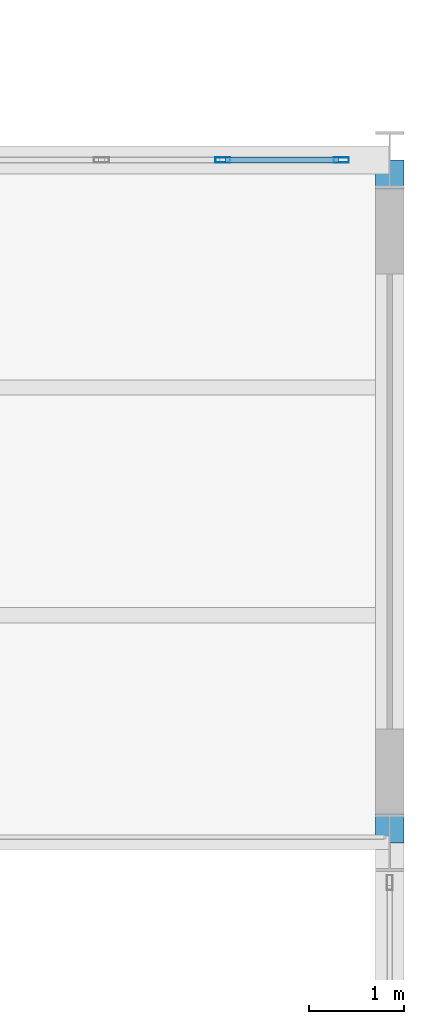
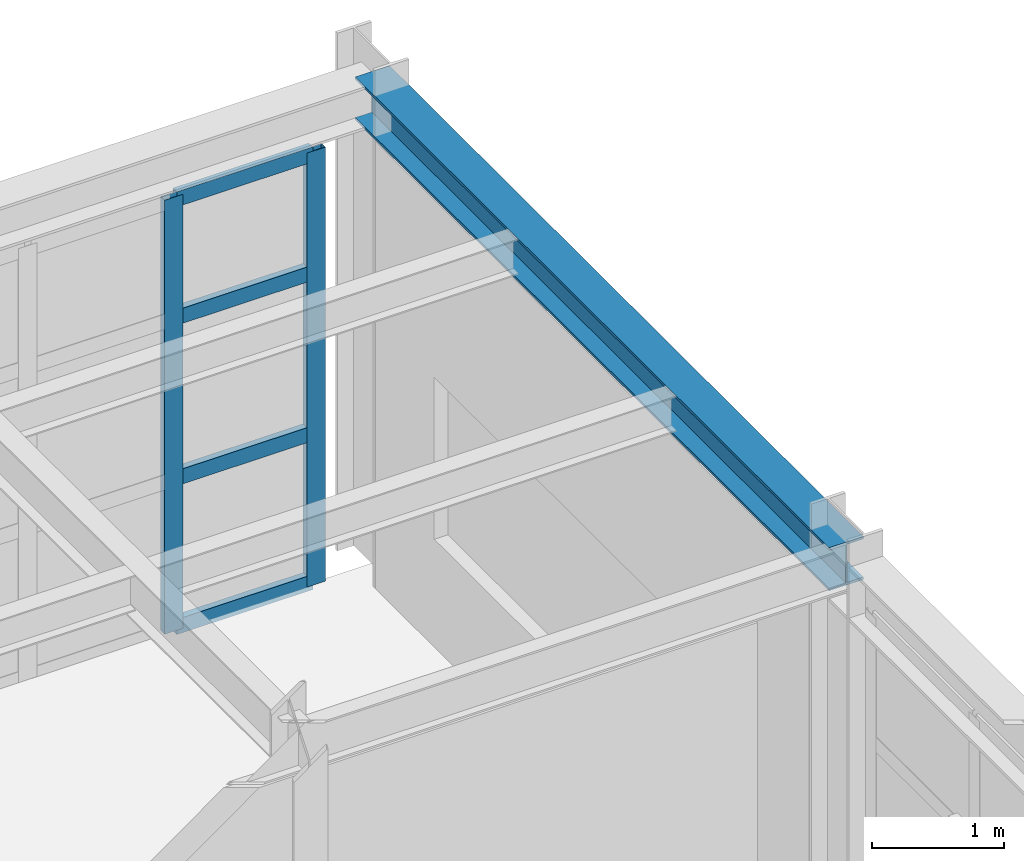
# One storey, part 63 of 121: 6 members, 1 beam, 1 element without a shape of its own.
"""IFC4 building model written with IfcOpenShell, lengths in metres."""

import ifcopenshell
import ifcopenshell.guid

model = None  # the IFC model being written
_history = None  # IfcOwnerHistory: only IFC2X3 demands one
_inside = {}  # id of a spatial element -> (the spatial element, [elements in it])
_under = {}  # id of a project, library or spatial element -> (it, [spatial elements below it])
_declared = {}  # id of a project -> (the project, [libraries it declares])
_typed = {}  # id of a type object -> (the type object, [elements of that type])
_made_of = {}  # id of a material, layer set ... -> (it, [elements and type objects made of it])


def new_model(schema):
    """Start an empty IFC model of exactly this schema.

    Asked for "IFC4X3", IfcOpenShell would pick the latest addendum, in which some entities
    have other attributes; the version numbers below select the first issue.
    IFC2X3 requires an IfcOwnerHistory on every rooted entity: one is made here for all.
    """
    global model, _history
    if schema == "IFC4X3":
        model = ifcopenshell.file(schema_version=(4, 3, 0, 0))
    else:
        model = ifcopenshell.file(schema=schema)
    _inside.clear()
    _under.clear()
    _declared.clear()
    _typed.clear()
    _made_of.clear()
    _history = None
    if model.schema == "IFC2X3":
        org = make("IfcOrganization", Name="unknown")
        user = make(
            "IfcPersonAndOrganization",
            ThePerson=make("IfcPerson", FamilyName="unknown"),
            TheOrganization=org,
        )
        app = make(
            "IfcApplication",
            ApplicationDeveloper=org,
            Version="unknown",
            ApplicationFullName="unknown",
            ApplicationIdentifier="unknown",
        )
        _history = make(
            "IfcOwnerHistory",
            OwningUser=user,
            OwningApplication=app,
            ChangeAction="ADDED",
            CreationDate=0,
        )
    return model


def make(cls, **values):
    """One entity of the class cls with the attributes given. An attribute that is None is left unset."""
    return model.create_entity(
        cls, **{name: value for name, value in values.items() if value is not None}
    )


def rooted(cls, **values):
    """An entity with a GlobalId (a new one), such as an element, a storey or a relation."""
    return make(cls, GlobalId=ifcopenshell.guid.new(), OwnerHistory=_history, **values)


def si_unit(unit_type, name, prefix=None):
    """IfcSIUnit, for example si_unit("LENGTHUNIT", "METRE", prefix="MILLI")."""
    return make("IfcSIUnit", UnitType=unit_type, Prefix=prefix, Name=name)


def assignment(units):
    """IfcUnitAssignment: the units of a project."""
    return None if units is None else make("IfcUnitAssignment", Units=units)


def point(xyz):
    """IfcCartesianPoint."""
    return None if xyz is None else make("IfcCartesianPoint", Coordinates=xyz)


def direction(xyz):
    """IfcDirection."""
    return None if xyz is None else make("IfcDirection", DirectionRatios=xyz)


def frame(location, z_axis=None, x_axis=None):
    """IfcAxis2Placement3D, a coordinate frame: its origin and axes. An axis left out is left unset."""
    return make(
        "IfcAxis2Placement3D",
        Location=point(location),
        Axis=direction(z_axis),
        RefDirection=direction(x_axis),
    )


def frame_2d(location, x_axis=None):
    """IfcAxis2Placement2D, a coordinate frame in the plane: its origin and x axis."""
    return make(
        "IfcAxis2Placement2D", Location=point(location), RefDirection=direction(x_axis)
    )


def origin():
    """The frame at (0, 0, 0) with its axes left unset."""
    return frame((0.0, 0.0, 0.0))


def origin_2d():
    """The frame at (0, 0) in the plane with its x axis left unset."""
    return frame_2d((0.0, 0.0))


def place(relative_to, where):
    """IfcLocalPlacement: puts the frame where relative to a parent placement (None: the world)."""
    return make(
        "IfcLocalPlacement", PlacementRelTo=relative_to, RelativePlacement=where
    )


def context(
    kind, dimensions, precision=None, world=None, true_north=None, identifier=None
):
    """IfcGeometricRepresentationContext, for example the 3D "Model" context."""
    return make(
        "IfcGeometricRepresentationContext",
        ContextIdentifier=identifier,
        ContextType=kind,
        CoordinateSpaceDimension=dimensions,
        Precision=precision,
        WorldCoordinateSystem=world,
        TrueNorth=true_north,
    )


def subcontext(parent, identifier, kind, view, scale=None):
    """IfcGeometricRepresentationSubContext, for example "Body" below "Model"."""
    return make(
        "IfcGeometricRepresentationSubContext",
        ContextIdentifier=identifier,
        ContextType=kind,
        ParentContext=parent,
        TargetScale=scale,
        TargetView=view,
    )


def project(units=None, contexts=None):
    """IfcProject with its units and contexts."""
    return rooted(
        "IfcProject",
        Name="project",
        RepresentationContexts=contexts,
        UnitsInContext=assignment(units),
    )


def spatial(cls, under=None, at=None, **own):
    """A site, building, storey or space (cls), placed at a placement, below another one or the project."""
    s = rooted(cls, ObjectPlacement=at, **own)
    if under is not None:
        _under.setdefault(under.id(), (under, []))[1].append(s)
    return s


def profile(cls, at=None, kind="AREA", **sizes):
    """A parametric profile (cls). Its sizes go by their IFC names, for example OverallWidth=200.0."""
    return make(cls, ProfileType=kind, Position=at, **sizes)


def hollow_rectangle(**sizes):
    """IfcRectangleHollowProfileDef."""
    return profile("IfcRectangleHollowProfileDef", **sizes)


def i_section(**sizes):
    """IfcIShapeProfileDef."""
    return profile("IfcIShapeProfileDef", **sizes)


def extrude(swept, where, along, depth):
    """IfcExtrudedAreaSolid: the profile swept, set in the frame where, extruded along a direction by depth."""
    return make(
        "IfcExtrudedAreaSolid",
        SweptArea=swept,
        Position=where,
        ExtrudedDirection=direction(along),
        Depth=depth,
    )


def shape(context_of_items, identifier, shape_type, items):
    """IfcShapeRepresentation: the items that make up one representation, for example the "Body"."""
    return make(
        "IfcShapeRepresentation",
        ContextOfItems=context_of_items,
        RepresentationIdentifier=identifier,
        RepresentationType=shape_type,
        Items=items,
    )


def material(Name=None, Category=None):
    """IfcMaterial."""
    return make("IfcMaterial", Name=Name, Category=Category)


def layer(
    of_material, thickness, ventilated=None, Name=None, Category=None, Priority=None
):
    """IfcMaterialLayer: one layer of a wall or slab, of a material (None: an air gap)."""
    return make(
        "IfcMaterialLayer",
        Material=of_material,
        LayerThickness=thickness,
        IsVentilated=ventilated,
        Name=Name,
        Category=Category,
        Priority=Priority,
    )


def layer_set(layers, Name=None):
    """IfcMaterialLayerSet."""
    return make("IfcMaterialLayerSet", MaterialLayers=layers, LayerSetName=Name)


def material_profile(
    of_material, cross_section, Name=None, Category=None, Priority=None
):
    """IfcMaterialProfile: a cross section and its material."""
    return make(
        "IfcMaterialProfile",
        Name=Name,
        Material=of_material,
        Profile=cross_section,
        Priority=Priority,
        Category=Category,
    )


def profile_set(profiles, Name=None, composite=None):
    """IfcMaterialProfileSet."""
    return make(
        "IfcMaterialProfileSet",
        Name=Name,
        MaterialProfiles=profiles,
        CompositeProfile=composite,
    )


def made_of(thing, what):
    """Note that an element or type object is made of a material, layer set ...; save() writes the relation."""
    if what is not None:
        _made_of.setdefault(what.id(), (what, []))[1].append(thing)
    return thing


def type_object(cls, material=None, **own):
    """A type object (cls), such as IfcWallType, which elements share."""
    return made_of(rooted(cls, **own), material)


def element(
    cls,
    number,
    at=None,
    inside=None,
    cuts=None,
    type_object=None,
    material=None,
    context=None,
    identifier="Body",
    shape_type=None,
    held_by="IfcProductDefinitionShape",
    body=None,
    shapes=None,
    **own,
):
    """One element of the class cls, such as IfcWall. Its Tag is "e" and its number.

    at: its placement. inside: the storey or other place that contains it. cuts: it is an
    opening in that element (IfcRelVoidsElement). A single representation is given by context,
    identifier, shape_type and body (its items); several are given by shapes. held_by: the class
    of the entity that holds the representations. save() writes the other relations.
    """
    e = rooted(cls, Tag="e%d" % number, ObjectPlacement=at, **own)
    if body is not None:
        shapes = [shape(context, identifier, shape_type, body)]
    if shapes is not None:
        e.Representation = make(held_by, Representations=shapes)
    if inside is not None:
        _inside.setdefault(inside.id(), (inside, []))[1].append(e)
    if cuts is not None:
        rooted(
            "IfcRelVoidsElement", RelatingBuildingElement=cuts, RelatedOpeningElement=e
        )
    if type_object is not None:
        _typed.setdefault(type_object.id(), (type_object, []))[1].append(e)
    return made_of(e, material)


def aggregate(whole, parts):
    """IfcRelAggregates: a whole, such as a stair, and the parts it consists of."""
    return rooted("IfcRelAggregates", RelatingObject=whole, RelatedObjects=parts)


def save(model, path):
    """Write the relations noted so far, then the file.

    IfcRelAggregates (storeys below a building ...), IfcRelContainedInSpatialStructure (elements
    in a storey), IfcRelDefinesByType, IfcRelAssociatesMaterial and IfcRelDeclares: one each for
    every whole, place, type object, material and project.
    """
    for whole, parts in _under.values():
        aggregate(whole, parts)
    for where, things in _inside.values():
        rooted(
            "IfcRelContainedInSpatialStructure",
            RelatedElements=things,
            RelatingStructure=where,
        )
    for kind, things in _typed.values():
        rooted("IfcRelDefinesByType", RelatedObjects=things, RelatingType=kind)
    for what, things in _made_of.values():
        rooted("IfcRelAssociatesMaterial", RelatedObjects=things, RelatingMaterial=what)
    for by, libraries in _declared.values():
        rooted("IfcRelDeclares", RelatingContext=by, RelatedDefinitions=libraries)
    model.write(path)


model = new_model("IFC4")

# Units and contexts
model_context = context("Model", 3, precision=1e-05, world=origin(), true_north=direction((0.0, 1.0)))
body_context = subcontext(model_context, "Body", "Model", "MODEL_VIEW")
ifc_project = project(units=[si_unit("LENGTHUNIT", "METRE"), si_unit("AREAUNIT", "SQUARE_METRE"), si_unit("VOLUMEUNIT", "CUBIC_METRE"), si_unit("PLANEANGLEUNIT", "RADIAN"), si_unit("MASSUNIT", "GRAM", prefix="KILO")], contexts=[model_context])

# Site, building, storey
site_placement = place(None, origin())
site = spatial("IfcSite", under=ifc_project, at=site_placement, CompositionType="ELEMENT")
building_placement = place(site_placement, origin())
building = spatial("IfcBuilding", under=site, at=building_placement, Name="Solvadek Multi-Sports Hall", CompositionType="ELEMENT")
storey_placement = place(building_placement, frame((0.0, 0.0, 4.800048828125)))
storey = spatial("IfcBuildingStorey", under=building, at=storey_placement, Name="L01", CompositionType="ELEMENT", Elevation=4.800048828125)

# Curtain wall, members
ifc_material_1 = material(Name="Anodised aluminium", Category="aluminium")
ifc_layer = layer(ifc_material_1, 0.159912109375, Name="Anodised aluminium")
ifc_layer_set = layer_set([ifc_layer], Name="Anodised aluminium")
curtain_wall_type = type_object("IfcCurtainWallType", Name="ENV-CW-384X402", PredefinedType="USERDEFINED", material=ifc_layer_set)
curtain_wall_placement = place(storey_placement, origin())
curtain_wall = element("IfcCurtainWall", 1, at=curtain_wall_placement, inside=storey, type_object=curtain_wall_type, Name="L01 Perimeter Bay Curtain Wall #141", ObjectType="CURTAIN WALL", PredefinedType="USERDEFINED")
ifc_material_profile_1 = material_profile(ifc_material_1, hollow_rectangle(XDim=0.06005859375, YDim=0.159912109375, WallThickness=0.00390625, at=origin_2d()), Name="ALU-M 160x60x4")
ifc_profile_set_1 = profile_set([ifc_material_profile_1], Name="Anodised aluminium")
member_type_1 = type_object("IfcMemberType", Name="ENV-CWM-01", PredefinedType="MULLION", material=ifc_profile_set_1)
member_1_placement = place(storey_placement, frame((159.639892578125, 70.800048828125, 0.0), z_axis=(0.0, 0.0, 1.0), x_axis=(0.0, 1.0, 0.0)))
member_1 = element("IfcMember", 2, at=member_1_placement, type_object=member_type_1, Name="CW-49 mullion 3", PredefinedType="MULLION", context=body_context, shape_type="SweptSolid", body=[
    extrude(hollow_rectangle(XDim=0.06005859375, YDim=0.159912109375, WallThickness=0.00390625, at=origin_2d()), origin(), (0.0, 0.0, 1.0), 4.02490234375),
])
member_2_placement = place(storey_placement, frame((160.889892578125, 70.800048828125, 0.0), z_axis=(0.0, 0.0, 1.0), x_axis=(0.0, 1.0, 0.0)))
member_2 = element("IfcMember", 3, at=member_2_placement, type_object=member_type_1, Name="CW-49 mullion 4", PredefinedType="MULLION", context=body_context, shape_type="SweptSolid", body=[
    extrude(hollow_rectangle(XDim=0.06005859375, YDim=0.159912109375, WallThickness=0.00390625, at=origin_2d()), origin(), (0.0, 0.0, 1.0), 4.02490234375),
])
ifc_material_profile_2 = material_profile(ifc_material_1, hollow_rectangle(XDim=0.06005859375, YDim=0.139892578125, WallThickness=0.00390625, at=origin_2d()), Name="ALU-T 140x60x4")
ifc_profile_set_2 = profile_set([ifc_material_profile_2], Name="Anodised aluminium")
member_type_2 = type_object("IfcMemberType", Name="ENV-CWT-02", PredefinedType="USERDEFINED", material=ifc_profile_set_2)
member_3_placement = place(storey_placement, frame((159.669921875, 70.800048828125, 0.030029296875), z_axis=(1.0, 0.0, 0.0), x_axis=(0.0, 1.0, 0.0)))
member_3 = element("IfcMember", 4, at=member_3_placement, type_object=member_type_2, Name="CW-49 transom 3.1", ObjectType="TRANSOM", PredefinedType="USERDEFINED", context=body_context, shape_type="SweptSolid", body=[
    extrude(hollow_rectangle(XDim=0.06005859375, YDim=0.139892578125, WallThickness=0.00390625, at=origin_2d()), origin(), (0.0, 0.0, 1.0), 1.190185546875),
])
member_4_placement = place(storey_placement, frame((159.669921875, 70.800048828125, 1.408935546875), z_axis=(1.0, 0.0, 0.0), x_axis=(0.0, 1.0, 0.0)))
member_4 = element("IfcMember", 5, at=member_4_placement, type_object=member_type_2, Name="CW-49 transom 3.2", ObjectType="TRANSOM", PredefinedType="USERDEFINED", context=body_context, shape_type="SweptSolid", body=[
    extrude(hollow_rectangle(XDim=0.06005859375, YDim=0.139892578125, WallThickness=0.00390625, at=origin_2d()), origin(), (0.0, 0.0, 1.0), 1.190185546875),
])
member_5_placement = place(storey_placement, frame((159.669921875, 70.800048828125, 2.89794921875), z_axis=(1.0, 0.0, 0.0), x_axis=(0.0, 1.0, 0.0)))
member_5 = element("IfcMember", 6, at=member_5_placement, type_object=member_type_2, Name="CW-49 transom 3.3", ObjectType="TRANSOM", PredefinedType="USERDEFINED", context=body_context, shape_type="SweptSolid", body=[
    extrude(hollow_rectangle(XDim=0.06005859375, YDim=0.139892578125, WallThickness=0.00390625, at=origin_2d()), origin(), (0.0, 0.0, 1.0), 1.190185546875),
])
member_6_placement = place(storey_placement, frame((159.669921875, 70.800048828125, 3.994873046875), z_axis=(1.0, 0.0, 0.0), x_axis=(0.0, 1.0, 0.0)))
member_6 = element("IfcMember", 7, at=member_6_placement, type_object=member_type_2, Name="CW-49 transom 3.4", ObjectType="TRANSOM", PredefinedType="USERDEFINED", context=body_context, shape_type="SweptSolid", body=[
    extrude(hollow_rectangle(XDim=0.06005859375, YDim=0.139892578125, WallThickness=0.00390625, at=origin_2d()), origin(), (0.0, 0.0, 1.0), 1.190185546875),
])
aggregate(curtain_wall, [member_1, member_2, member_3, member_4, member_5, member_6])

# Beam
ifc_material_2 = material(Name="Steel E350 (350 MPa)", Category="steel")
ifc_material_profile_3 = material_profile(ifc_material_2, i_section(OverallWidth=0.300048828125, OverallDepth=0.39990234375, WebThickness=0.013427734375, FlangeThickness=0.02392578125, at=origin_2d()), Name="WPB 400")
ifc_profile_set_3 = profile_set([ifc_material_profile_3], Name="Steel E350 (350 MPa)")
beam_type = type_object("IfcBeamType", Name="STR-SPN-WPB400", PredefinedType="SPANDREL", material=ifc_profile_set_3)
beam_placement = place(storey_placement, frame((161.39990234375, 63.60009765625, 4.35986328125), z_axis=(0.0, 1.0, 0.0), x_axis=(-1.0, 0.0, 0.0)))
element("IfcBeam", 8, at=beam_placement, inside=storey, type_object=beam_type, Name="L01 Girder SP-02 #1308", PredefinedType="SPANDREL", context=body_context, shape_type="SweptSolid", body=[
    extrude(i_section(OverallWidth=0.300048828125, OverallDepth=0.39990234375, WebThickness=0.013427734375, FlangeThickness=0.02392578125, at=origin_2d()), origin(), (0.0, 0.0, 1.0), 7.199951171875),
])

save(model, "model.ifc")
